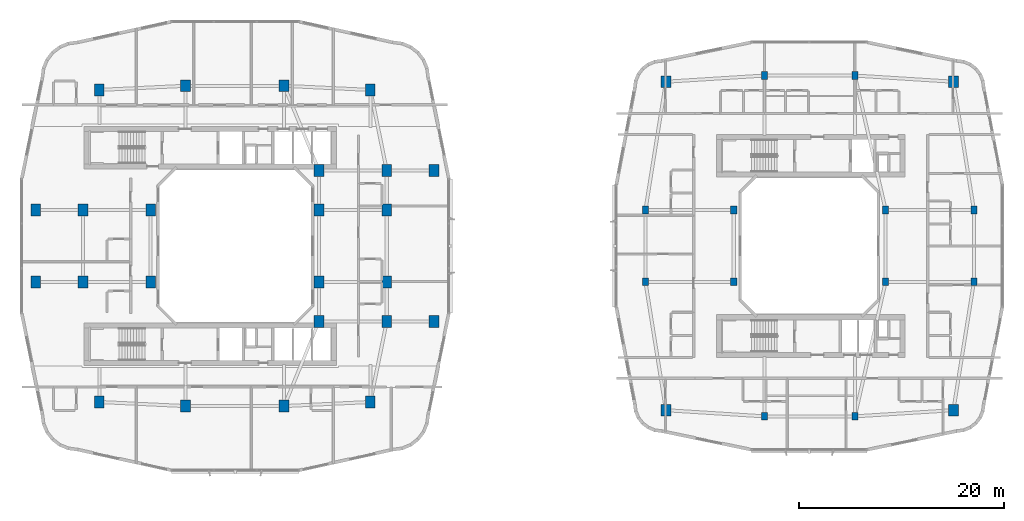
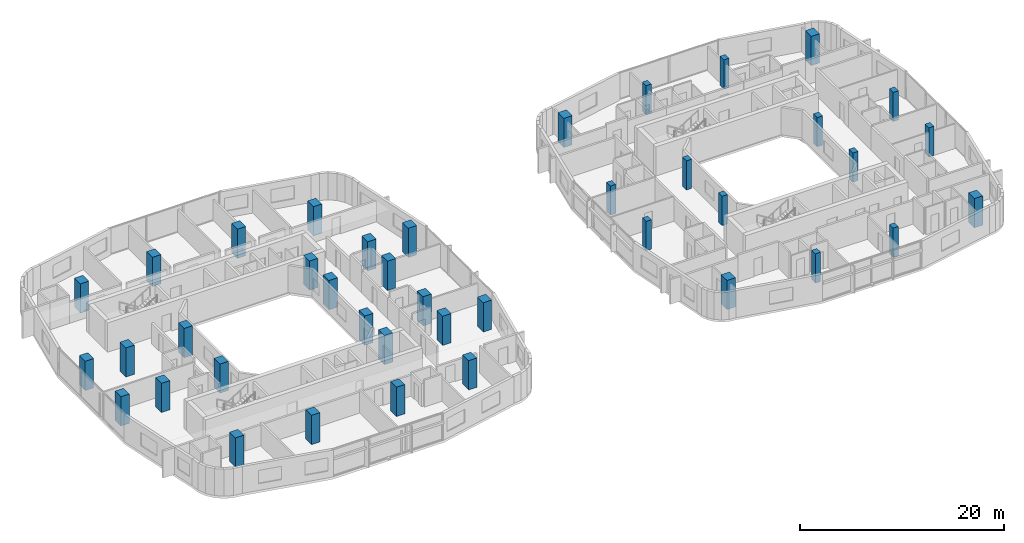
# One storey, part 1 of 27: 40 columns.
"""IFC4 building model written with IfcOpenShell, lengths in metres."""

from ifc_helpers import new_model, si_unit, derived_unit, direction, frame, origin, origin_2d, place, context, subcontext, project, spatial, rectangle, extrude, material, material_profile, profile_set, type_object, element, save


model = new_model("IFC4")

# Units and contexts
model_context = context("Model", 3, precision=1e-05, world=origin(), true_north=direction((0.0, 1.0)))
body_context = subcontext(model_context, "Body", "Model", "MODEL_VIEW")
ifc_project = project(units=[si_unit("LENGTHUNIT", "METRE"), si_unit("AREAUNIT", "SQUARE_METRE"), si_unit("VOLUMEUNIT", "CUBIC_METRE"), si_unit("PLANEANGLEUNIT", "RADIAN"), si_unit("MASSUNIT", "GRAM", prefix="KILO"), derived_unit("THERMALTRANSMITTANCEUNIT", [(si_unit("POWERUNIT", "WATT"), 1), (si_unit("LENGTHUNIT", "METRE"), -2), (si_unit("THERMODYNAMICTEMPERATUREUNIT", "KELVIN"), -1)])], contexts=[model_context])

# Site, building, storey
site_placement = place(None, origin())
site = spatial("IfcSite", under=ifc_project, at=site_placement, CompositionType="ELEMENT")
building_placement = place(site_placement, origin())
building = spatial("IfcBuilding", under=site, at=building_placement, Name="Kivonza Crest Hotel", CompositionType="ELEMENT")
storey_placement = place(building_placement, frame((0.0, 0.0, 76.5)))
storey = spatial("IfcBuildingStorey", under=building, at=storey_placement, Name="L20", CompositionType="ELEMENT", Elevation=76.5)

# Columns
ifc_material_1 = material(Name="Concrete C60/75", Category="concrete")
ifc_material_profile_1 = material_profile(ifc_material_1, rectangle(XDim=0.949951171875, YDim=1.14990234375, at=origin_2d()), Name="RC 1150x950")
ifc_profile_set_1 = profile_set([ifc_material_profile_1], Name="Concrete C60/75")
column_type_1 = type_object("IfcColumnType", Name="CL-RC-1150x950", PredefinedType="COLUMN", material=ifc_profile_set_1)
for number, where, z_axis, x_axis, name in (
    (1, (16.199951171875, 9.39990234375, 0.0), (0.0, 0.0, 1.0), (1.0, 0.0, 0.0), "Tower T1 L20 column S1"),
    (2, (25.800048828125, 9.39990234375, 0.0), (0.0, 0.0, 1.0), (1.0, 0.0, 0.0), "Tower T1 L20 column S2"),
    (3, (16.199951171875, 40.60009765625, 0.0), (0.0, 0.0, 1.0), (1.0, 0.0, 0.0), "Tower T1 L20 column N1"),
    (4, (25.800048828125, 40.60009765625, 0.0), (0.0, 0.0, 1.0), (1.0, 0.0, 0.0), "Tower T1 L20 column N2"),
    (5, (6.199951171875, 21.5, 0.0), (0.0, 0.0, 1.0), (1.0, 0.0, 0.0), "Tower T1 L20 column W1"),
    (6, (6.199951171875, 28.5, 0.0), (0.0, 0.0, 1.0), (1.0, 0.0, 0.0), "Tower T1 L20 column W2"),
    (7, (7.800048828125, 9.800048828125, 0.0), (0.0, 0.0, 1.0), (1.0, 0.0, 0.0), "Tower T1 L20 column SW"),
    (8, (34.199951171875, 9.800048828125, 0.0), (0.0, 0.0, 1.0), (1.0, 0.0, 0.0), "Tower T1 L20 column SE"),
    (9, (34.199951171875, 40.199951171875, 0.0), (0.0, 0.0, 1.0), (1.0, 0.0, 0.0), "Tower T1 L20 column NE"),
    (10, (7.800048828125, 40.199951171875, 0.0), (0.0, 0.0, 1.0), (1.0, 0.0, 0.0), "Tower T1 L20 column NW"),
    (11, (35.800048828125, 21.5, 0.0), (0.0, 0.0, 1.0), (1.0, 0.0, 0.0), "Tower T1 L20 column E1"),
    (12, (35.800048828125, 28.5, 0.0), (0.0, 0.0, 1.0), (1.0, 0.0, 0.0), "Tower T1 L20 column E2"),
    (13, (35.800048828125, 17.64990234375, 0.0), (0.0, 0.0, 1.0), (1.0, 0.0, 0.0), "Tower T1 L20 column PSE"),
    (14, (35.800048828125, 32.35009765625, 0.0), (0.0, 0.0, 1.0), (1.0, 0.0, 0.0), "Tower T1 L20 column PNE"),
    (15, (12.800048828125, 21.5, 0.0), (0.0, 0.0, 1.0), (1.0, 0.0, 0.0), "Tower T1 L20 column WL1"),
    (16, (12.800048828125, 28.5, 0.0), (0.0, 0.0, 1.0), (1.0, 0.0, 0.0), "Tower T1 L20 column WL2"),
    (17, (29.199951171875, 17.64990234375, 0.0), (0.0, 0.0, 1.0), (1.0, 0.0, 0.0), "Tower T1 L20 column TSE"),
    (18, (29.199951171875, 32.35009765625, 0.0), (0.0, 0.0, 1.0), (1.0, 0.0, 0.0), "Tower T1 L20 column TNE"),
    (19, (29.199951171875, 21.5, 0.0), (0.0, 0.0, 1.0), (1.0, 0.0, 0.0), "Tower T1 L20 column WR1"),
    (20, (29.199951171875, 28.5, 0.0), (0.0, 0.0, 1.0), (1.0, 0.0, 0.0), "Tower T1 L20 column WR2"),
    (21, (1.60009765625, 21.5, 0.0), (0.0, 0.0, 1.0), (1.0, 0.0, 0.0), "Tower T1 L20 column Z1W1"),
    (22, (1.60009765625, 28.5, 0.0), (0.0, 0.0, 1.0), (1.0, 0.0, 0.0), "Tower T1 L20 column Z1W2"),
    (23, (40.39990234375, 17.64990234375, 0.0), (0.0, 0.0, 1.0), (1.0, 0.0, 0.0), "Tower T1 L20 column Z1E1"),
    (24, (40.39990234375, 32.35009765625, 0.0), (0.0, 0.0, 1.0), (1.0, 0.0, 0.0), "Tower T1 L20 column Z1E2"),
    (25, (63.0, 9.0, 0.0), (0.0, 0.0, 1.0), (1.0, 0.0, 0.0), "Companion Tower T2 L20 column SW"),
    (26, (91.0, 9.0, 0.0), (0.0, 0.0, 1.0), (1.0, 0.0, 0.0), "Companion Tower T2 L20 column SE"),
    (27, (91.0, 41.0, 0.0), (0.0, 0.0, 1.0), (1.0, 0.0, 0.0), "Companion Tower T2 L20 column NE"),
    (28, (63.0, 41.0, 0.0), (0.0, 0.0, 1.0), (1.0, 0.0, 0.0), "Companion Tower T2 L20 column NW"),
):
    element("IfcColumn", number, at=place(storey_placement, frame(where, z_axis=z_axis, x_axis=x_axis)), inside=storey, type_object=column_type_1, Name=name, PredefinedType="COLUMN", context=body_context, shape_type="SweptSolid", body=[
        extrude(rectangle(XDim=0.949951171875, YDim=1.14990234375, at=origin_2d()), origin(), (0.0, 0.0, 1.0), 3.5),
    ])
ifc_material_2 = material(Name="Concrete C50/60", Category="concrete")
ifc_material_profile_2 = material_profile(ifc_material_2, rectangle(XDim=0.60009765625, YDim=0.75, at=origin_2d()), Name="RC 750x600")
ifc_profile_set_2 = profile_set([ifc_material_profile_2], Name="Concrete C50/60")
column_type_2 = type_object("IfcColumnType", Name="CL-RC-750x600", PredefinedType="COLUMN", material=ifc_profile_set_2)
for number, where, z_axis, x_axis, name in (
    (29, (72.60009765625, 8.39990234375, 0.0), (0.0, 0.0, 1.0), (1.0, 0.0, 0.0), "Companion Tower T2 L20 column S1"),
    (30, (81.39990234375, 8.39990234375, 0.0), (0.0, 0.0, 1.0), (1.0, 0.0, 0.0), "Companion Tower T2 L20 column S2"),
    (31, (72.60009765625, 41.60009765625, 0.0), (0.0, 0.0, 1.0), (1.0, 0.0, 0.0), "Companion Tower T2 L20 column N1"),
    (32, (81.39990234375, 41.60009765625, 0.0), (0.0, 0.0, 1.0), (1.0, 0.0, 0.0), "Companion Tower T2 L20 column N2"),
    (33, (61.0, 21.5, 0.0), (0.0, 0.0, 1.0), (1.0, 0.0, 0.0), "Companion Tower T2 L20 column W1"),
    (34, (61.0, 28.5, 0.0), (0.0, 0.0, 1.0), (1.0, 0.0, 0.0), "Companion Tower T2 L20 column W2"),
    (35, (93.0, 21.5, 0.0), (0.0, 0.0, 1.0), (1.0, 0.0, 0.0), "Companion Tower T2 L20 column E1"),
    (36, (93.0, 28.5, 0.0), (0.0, 0.0, 1.0), (1.0, 0.0, 0.0), "Companion Tower T2 L20 column E2"),
    (37, (69.60009765625, 21.5, 0.0), (0.0, 0.0, 1.0), (1.0, 0.0, 0.0), "Companion Tower T2 L20 column WL1"),
    (38, (69.60009765625, 28.5, 0.0), (0.0, 0.0, 1.0), (1.0, 0.0, 0.0), "Companion Tower T2 L20 column WL2"),
    (39, (84.39990234375, 21.5, 0.0), (0.0, 0.0, 1.0), (1.0, 0.0, 0.0), "Companion Tower T2 L20 column WR1"),
    (40, (84.39990234375, 28.5, 0.0), (0.0, 0.0, 1.0), (1.0, 0.0, 0.0), "Companion Tower T2 L20 column WR2"),
):
    element("IfcColumn", number, at=place(storey_placement, frame(where, z_axis=z_axis, x_axis=x_axis)), inside=storey, type_object=column_type_2, Name=name, PredefinedType="COLUMN", context=body_context, shape_type="SweptSolid", body=[
        extrude(rectangle(XDim=0.60009765625, YDim=0.75, at=origin_2d()), origin(), (0.0, 0.0, 1.0), 3.5),
    ])

save(model, "model.ifc")
